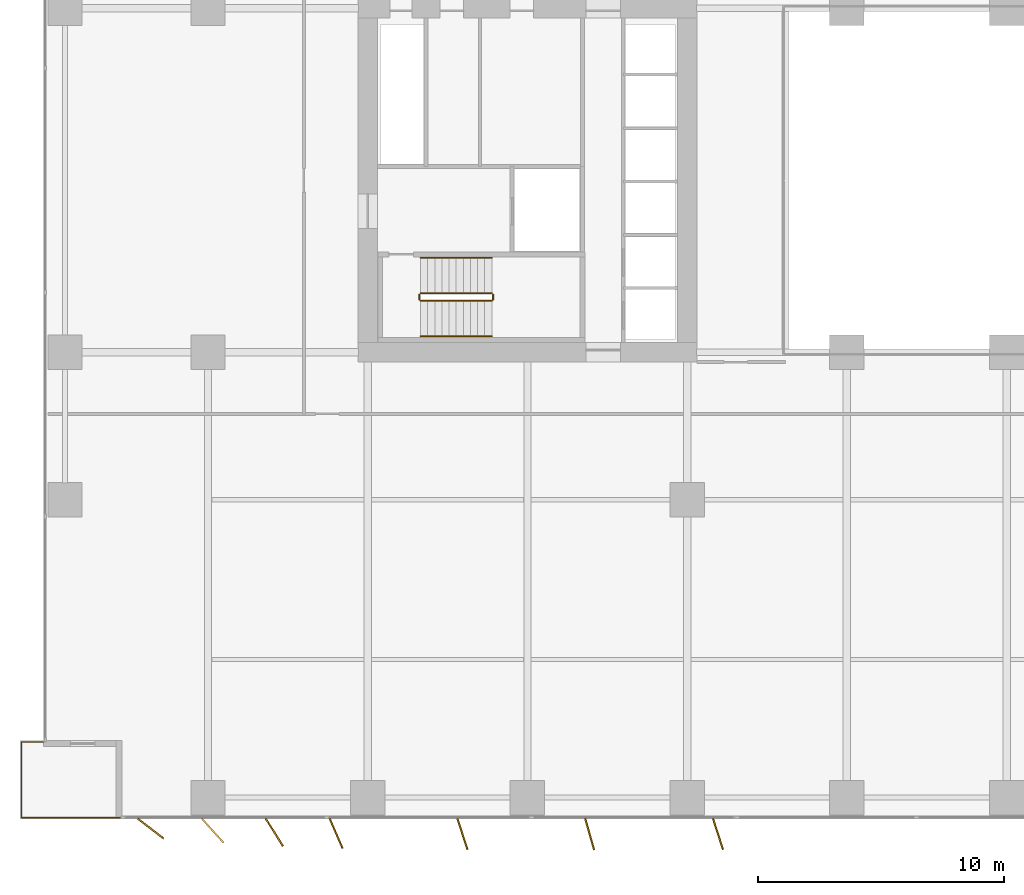
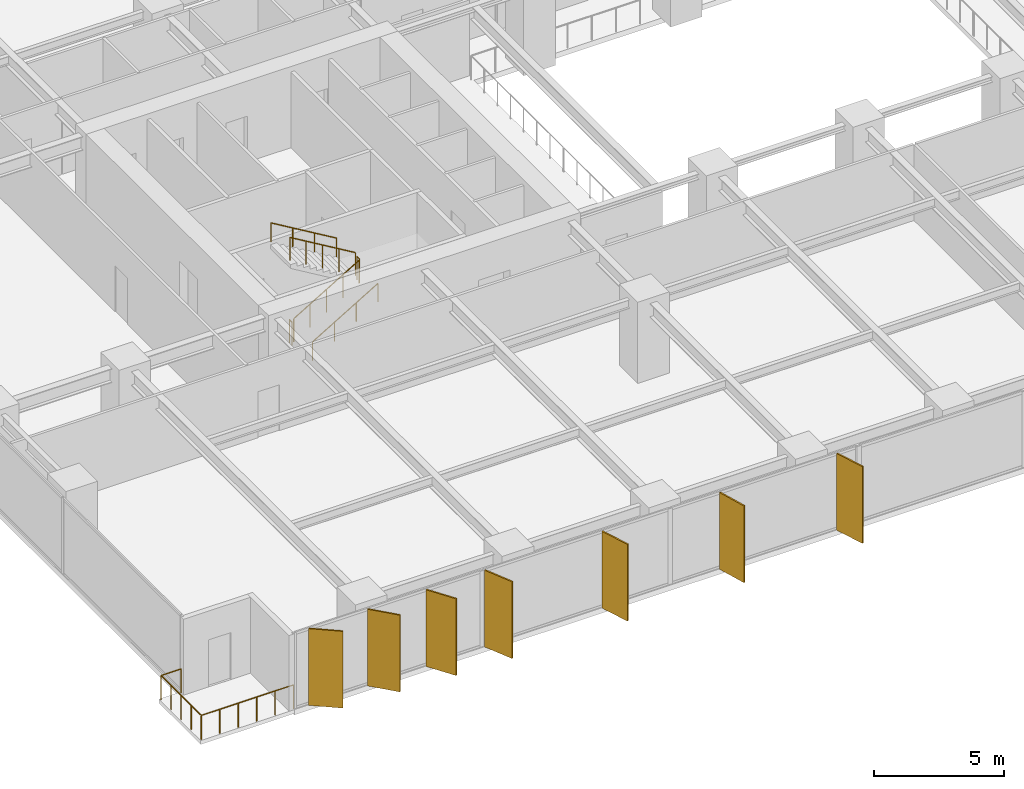
# One storey, part 17 of 20: 7 railings, 7 shading devices.
"""IFC4 building model written with IfcOpenShell, lengths in metres."""

from ifc_helpers import new_model, si_unit, direction, frame, origin, origin_2d, place, context, subcontext, project, spatial, rectangle, circle, extrude, material, layer, layer_set, type_object, element, save


model = new_model("IFC4")

# Units and contexts
model_context = context("Model", 3, precision=1e-05, world=origin(), true_north=direction((0.0, 1.0)))
body_context = subcontext(model_context, "Body", "Model", "MODEL_VIEW")
ifc_project = project(units=[si_unit("LENGTHUNIT", "METRE"), si_unit("AREAUNIT", "SQUARE_METRE"), si_unit("VOLUMEUNIT", "CUBIC_METRE"), si_unit("PLANEANGLEUNIT", "RADIAN"), si_unit("MASSUNIT", "GRAM", prefix="KILO")], contexts=[model_context])

# Site, building, storey
site_placement = place(None, origin())
site = spatial("IfcSite", under=ifc_project, at=site_placement, CompositionType="ELEMENT")
building_placement = place(site_placement, origin())
building = spatial("IfcBuilding", under=site, at=building_placement, Name="Putna Gate Headquarters", CompositionType="ELEMENT")
storey_placement = place(building_placement, frame((0.0, 0.0, 35.39990234375)))
storey = spatial("IfcBuildingStorey", under=building, at=storey_placement, Name="L07", CompositionType="ELEMENT", Elevation=35.39990234375)

# Railings
ifc_material_1 = material(Name="Powder-coated steel stair guardrail", Category="steel")
railing_type_1 = type_object("IfcRailingType", Name="RAIL-STAIR-GUARD-1100", PredefinedType="GUARDRAIL", material=ifc_material_1)
railing_1_placement = place(storey_placement, frame((15.14990234375, 21.10009765625, 0.1728515625)))
element("IfcRailing", 1, at=railing_1_placement, inside=storey, type_object=railing_type_1, Name="L07 ST1 stair guard 1", PredefinedType="GUARDRAIL", context=body_context, shape_type="SweptSolid", body=[
    extrude(circle(Radius=0.02392578125, at=origin_2d()), frame((0.0, 0.0, 1.076171875), z_axis=(0.859160404282, 0.0, 0.51170636083), x_axis=(0.0, 1.0, 0.0)), (0.0, 0.0, 1.0), 3.37548828125),
    extrude(circle(Radius=0.02099609375, at=origin_2d()), origin(), (0.0, 0.0, 1.0), 1.052001953125),
    extrude(circle(Radius=0.02099609375, at=origin_2d()), frame((0.72509765625, 0.0, 0.431884765625)), (0.0, 0.0, 1.0), 1.052001953125),
    extrude(circle(Radius=0.02099609375, at=origin_2d()), frame((1.4501953125, 0.0, 0.86376953125)), (0.0, 0.0, 1.0), 1.052001953125),
    extrude(circle(Radius=0.02099609375, at=origin_2d()), frame((2.175048828125, 0.0, 1.29541015625)), (0.0, 0.0, 1.0), 1.052001953125),
    extrude(circle(Radius=0.02099609375, at=origin_2d()), frame((2.900146484375, 0.0, 1.727294921875)), (0.0, 0.0, 1.0), 1.052001953125),
])
railing_2_placement = place(storey_placement, frame((18.10009765625, 21.14990234375, 1.900146484375)))
element("IfcRailing", 2, at=railing_2_placement, inside=storey, type_object=railing_type_1, Name="L07 ST1 stair guard 2", PredefinedType="GUARDRAIL", context=body_context, shape_type="SweptSolid", body=[
    extrude(circle(Radius=0.02392578125, at=origin_2d()), frame((0.0, 0.0, 1.076171875), z_axis=(0.0, 1.0, 0.0), x_axis=(-1.0, 0.0, 0.0)), (0.0, 0.0, 1.0), 0.2001953125),
    extrude(circle(Radius=0.02099609375, at=origin_2d()), origin(), (0.0, 0.0, 1.0), 1.052001953125),
    extrude(circle(Radius=0.02099609375, at=origin_2d()), frame((0.0, 0.2001953125, 0.0)), (0.0, 0.0, 1.0), 1.052001953125),
])
railing_3_placement = place(storey_placement, frame((18.050048828125, 21.39990234375, 2.07275390625)))
element("IfcRailing", 3, at=railing_3_placement, inside=storey, type_object=railing_type_1, Name="L07 ST1 stair guard 3", PredefinedType="GUARDRAIL", context=body_context, shape_type="SweptSolid", body=[
    extrude(circle(Radius=0.02392578125, at=origin_2d()), frame((0.0, 0.0, 1.076171875), z_axis=(-0.859160404282, 0.0, 0.51170636083), x_axis=(0.0, -1.0, 0.0)), (0.0, 0.0, 1.0), 3.37548828125),
    extrude(circle(Radius=0.02099609375, at=origin_2d()), origin(), (0.0, 0.0, 1.0), 1.052001953125),
    extrude(circle(Radius=0.02099609375, at=origin_2d()), frame((-0.72509765625, 0.0, 0.431884765625)), (0.0, 0.0, 1.0), 1.052001953125),
    extrude(circle(Radius=0.02099609375, at=origin_2d()), frame((-1.4501953125, 0.0, 0.86376953125)), (0.0, 0.0, 1.0), 1.052001953125),
    extrude(circle(Radius=0.02099609375, at=origin_2d()), frame((-2.175048828125, 0.0, 1.29541015625)), (0.0, 0.0, 1.0), 1.052001953125),
    extrude(circle(Radius=0.02099609375, at=origin_2d()), frame((-2.900146484375, 0.0, 1.727294921875)), (0.0, 0.0, 1.0), 1.052001953125),
])
railing_4_placement = place(storey_placement, frame((15.10009765625, 21.14990234375, 0.0)))
element("IfcRailing", 4, at=railing_4_placement, inside=storey, type_object=railing_type_1, Name="L07 ST1 stair guard 4", PredefinedType="GUARDRAIL", context=body_context, shape_type="SweptSolid", body=[
    extrude(circle(Radius=0.02392578125, at=origin_2d()), frame((0.0, 0.0, 1.076171875), z_axis=(0.0, 1.0, 0.0), x_axis=(-1.0, 0.0, 0.0)), (0.0, 0.0, 1.0), 0.2001953125),
    extrude(circle(Radius=0.02099609375, at=origin_2d()), origin(), (0.0, 0.0, 1.0), 1.052001953125),
    extrude(circle(Radius=0.02099609375, at=origin_2d()), frame((0.0, 0.2001953125, 0.0)), (0.0, 0.0, 1.0), 1.052001953125),
])
ifc_material_2 = material(Name="Brushed stainless steel handrail", Category="steel")
railing_type_2 = type_object("IfcRailingType", Name="RAIL-STAIR-HAND-900", PredefinedType="HANDRAIL", material=ifc_material_2)
railing_5_placement = place(storey_placement, frame((15.14990234375, 19.64990234375, 0.1728515625)))
element("IfcRailing", 5, at=railing_5_placement, inside=storey, type_object=railing_type_2, Name="L07 ST1 stair handrail 1", PredefinedType="HANDRAIL", context=body_context, shape_type="SweptSolid", body=[
    extrude(circle(Radius=0.02392578125, at=origin_2d()), frame((0.0, 0.0, 0.8759765625), z_axis=(0.859160404282, 0.0, 0.51170636083), x_axis=(0.0, 1.0, 0.0)), (0.0, 0.0, 1.0), 3.37548828125),
    extrude(circle(Radius=0.02099609375, at=origin_2d()), origin(), (0.0, 0.0, 1.0), 0.851806640625),
    extrude(circle(Radius=0.02099609375, at=origin_2d()), frame((0.966796875, 0.0, 0.57568359375)), (0.0, 0.0, 1.0), 0.851806640625),
    extrude(circle(Radius=0.02099609375, at=origin_2d()), frame((1.933349609375, 0.0, 1.151611328125)), (0.0, 0.0, 1.0), 0.851806640625),
    extrude(circle(Radius=0.02099609375, at=origin_2d()), frame((2.900146484375, 0.0, 1.727294921875)), (0.0, 0.0, 1.0), 0.851806640625),
])
railing_6_placement = place(storey_placement, frame((18.050048828125, 22.85009765625, 2.07275390625)))
element("IfcRailing", 6, at=railing_6_placement, inside=storey, type_object=railing_type_2, Name="L07 ST1 stair handrail 2", PredefinedType="HANDRAIL", context=body_context, shape_type="SweptSolid", body=[
    extrude(circle(Radius=0.02392578125, at=origin_2d()), frame((0.0, 0.0, 0.8759765625), z_axis=(-0.859160404282, 0.0, 0.51170636083), x_axis=(0.0, -1.0, 0.0)), (0.0, 0.0, 1.0), 3.37548828125),
    extrude(circle(Radius=0.02099609375, at=origin_2d()), origin(), (0.0, 0.0, 1.0), 0.851806640625),
    extrude(circle(Radius=0.02099609375, at=origin_2d()), frame((-0.966796875, 0.0, 0.57568359375)), (0.0, 0.0, 1.0), 0.851806640625),
    extrude(circle(Radius=0.02099609375, at=origin_2d()), frame((-1.933349609375, 0.0, 1.151611328125)), (0.0, 0.0, 1.0), 0.851806640625),
    extrude(circle(Radius=0.02099609375, at=origin_2d()), frame((-2.900146484375, 0.0, 1.727294921875)), (0.0, 0.0, 1.0), 0.851806640625),
])
ifc_material_3 = material(Name="Anodised bronze steel and laminated glass guardrail", Category="steel")
railing_type_3 = type_object("IfcRailingType", Name="RAIL-TERR-GUARD-1150", PredefinedType="GUARDRAIL", material=ifc_material_3)
railing_7_placement = place(storey_placement, frame((3.0, 0.06005859375, 0.0)))
element("IfcRailing", 7, at=railing_7_placement, inside=storey, type_object=railing_type_3, Name="L07 Spiral Sky Terrace Guardrail SW", PredefinedType="GUARDRAIL", context=body_context, shape_type="SweptSolid", body=[
    extrude(circle(Radius=0.02392578125, at=origin_2d()), frame((0.0, 0.0, 1.1259765625), z_axis=(-1.0, 0.0, 0.0), x_axis=(0.0, -1.0, 0.0)), (0.0, 0.0, 1.0), 4.090087890625),
    extrude(circle(Radius=0.02392578125, at=origin_2d()), frame((-4.090087890625, 0.0, 1.1259765625), z_axis=(0.0, 1.0, 0.0), x_axis=(-1.0, 0.0, 0.0)), (0.0, 0.0, 1.0), 3.079833984375),
    extrude(circle(Radius=0.02392578125, at=origin_2d()), frame((-4.090087890625, 3.079833984375, 1.1259765625), z_axis=(1.0, 0.0, 0.0), x_axis=(0.0, 1.0, 0.0)), (0.0, 0.0, 1.0), 0.89013671875),
    extrude(circle(Radius=0.02099609375, at=origin_2d()), origin(), (0.0, 0.0, 1.0), 1.101806640625),
    extrude(circle(Radius=0.02099609375, at=origin_2d()), frame((-0.818115234375, 0.0, 0.0)), (0.0, 0.0, 1.0), 1.101806640625),
    extrude(circle(Radius=0.02099609375, at=origin_2d()), frame((-1.635986328125, 0.0, 0.0)), (0.0, 0.0, 1.0), 1.101806640625),
    extrude(circle(Radius=0.02099609375, at=origin_2d()), frame((-2.4541015625, 0.0, 0.0)), (0.0, 0.0, 1.0), 1.101806640625),
    extrude(circle(Radius=0.02099609375, at=origin_2d()), frame((-3.27197265625, 0.0, 0.0)), (0.0, 0.0, 1.0), 1.101806640625),
    extrude(circle(Radius=0.02099609375, at=origin_2d()), frame((-4.090087890625, 0.0, 0.0)), (0.0, 0.0, 1.0), 1.101806640625),
    extrude(circle(Radius=0.02099609375, at=origin_2d()), frame((-4.090087890625, 0.77001953125, 0.0)), (0.0, 0.0, 1.0), 1.101806640625),
    extrude(circle(Radius=0.02099609375, at=origin_2d()), frame((-4.090087890625, 1.5400390625, 0.0)), (0.0, 0.0, 1.0), 1.101806640625),
    extrude(circle(Radius=0.02099609375, at=origin_2d()), frame((-4.090087890625, 2.309814453125, 0.0)), (0.0, 0.0, 1.0), 1.101806640625),
    extrude(circle(Radius=0.02099609375, at=origin_2d()), frame((-4.090087890625, 3.079833984375, 0.0)), (0.0, 0.0, 1.0), 1.101806640625),
    extrude(circle(Radius=0.02099609375, at=origin_2d()), frame((-3.199951171875, 3.079833984375, 0.0)), (0.0, 0.0, 1.0), 1.101806640625),
])

# Shading devices
ifc_material_4 = material(Name="Anodised architectural bronze aluminium fin", Category="aluminium")
ifc_layer = layer(ifc_material_4, 0.06494140625)
ifc_layer_set = layer_set([ifc_layer], Name="Anodised architectural bronze aluminium fin")
shading_device_type = type_object("IfcShadingDeviceType", Name="SHADE-BRONZE-FIN-1320", PredefinedType="USERDEFINED", material=ifc_layer_set)
for number, where, z_axis, x_axis, name in (
    (8, (4.169677734375, -0.3818359375, -0.02001953125), (0.0, 0.0, 1.0), (0.787473187632, -0.616348909921, 0.0), "L07 Bronze Vertical Shading Fin S1"),
    (9, (6.691650390625, -0.465576171875, -0.02001953125), (0.0, 0.0, 1.0), (0.669130606359, -0.743144825477, 0.0), "L07 Bronze Vertical Shading Fin S2"),
    (10, (9.2001953125, -0.534423828125, -0.02001953125), (0.0, 0.0, 1.0), (0.530659123936, -0.847585331506, 0.0), "L07 Bronze Vertical Shading Fin S3"),
    (11, (11.71435546875, -0.57958984375, -0.02001953125), (0.0, 0.0, 1.0), (0.400668879095, -0.916222925562, 0.0), "L07 Bronze Vertical Shading Fin S4"),
    (12, (16.853759765625, -0.602783203125, -0.02001953125), (0.0, 0.0, 1.0), (0.308684994204, -0.951164325631, 0.0), "L07 Bronze Vertical Shading Fin S5"),
    (13, (22.031982421875, -0.609375, -0.02001953125), (0.0, 0.0, 1.0), (0.275637355817, -0.961261695938, 0.0), "L07 Bronze Vertical Shading Fin S6"),
    (14, (27.253662109375, -0.602783203125, -0.02001953125), (0.0, 0.0, 1.0), (0.308684994204, -0.951164325631, 0.0), "L07 Bronze Vertical Shading Fin S7"),
):
    element("IfcShadingDevice", number, at=place(storey_placement, frame(where, z_axis=z_axis, x_axis=x_axis)), inside=storey, type_object=shading_device_type, Name=name, ObjectType="FIN", PredefinedType="USERDEFINED", context=body_context, shape_type="SweptSolid", body=[
        extrude(rectangle(XDim=1.320068359375, YDim=0.06494140625, at=origin_2d()), origin(), (0.0, 0.0, 1.0), 3.590087890625),
    ])

save(model, "model.ifc")
